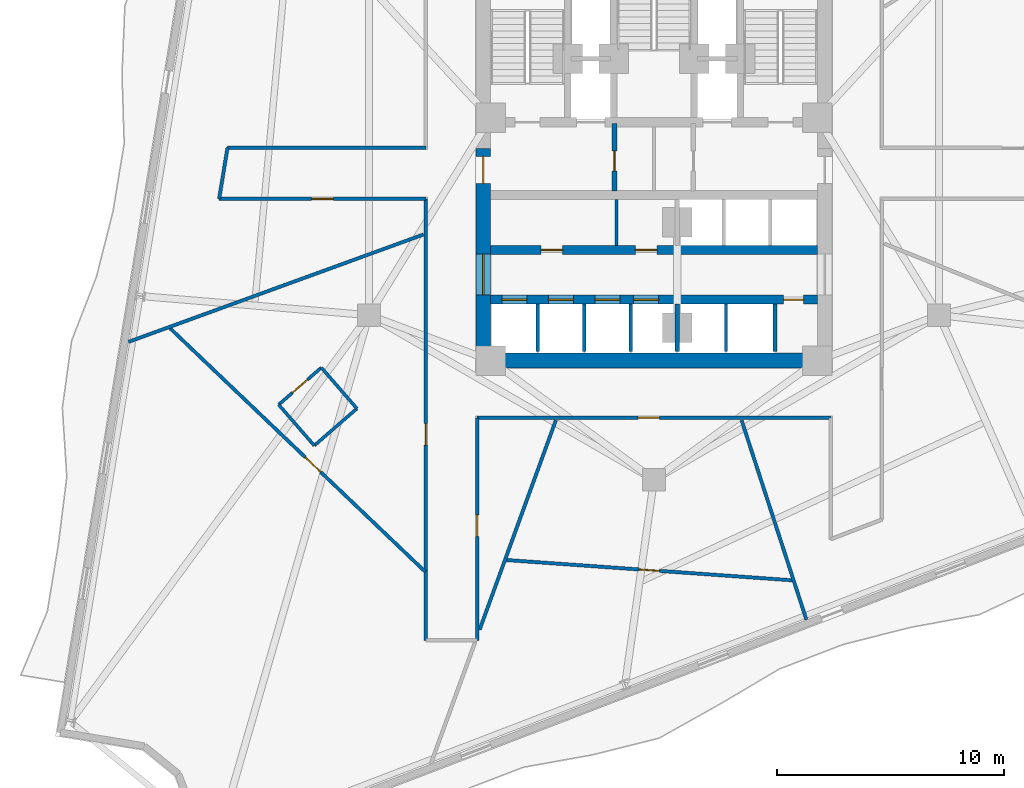
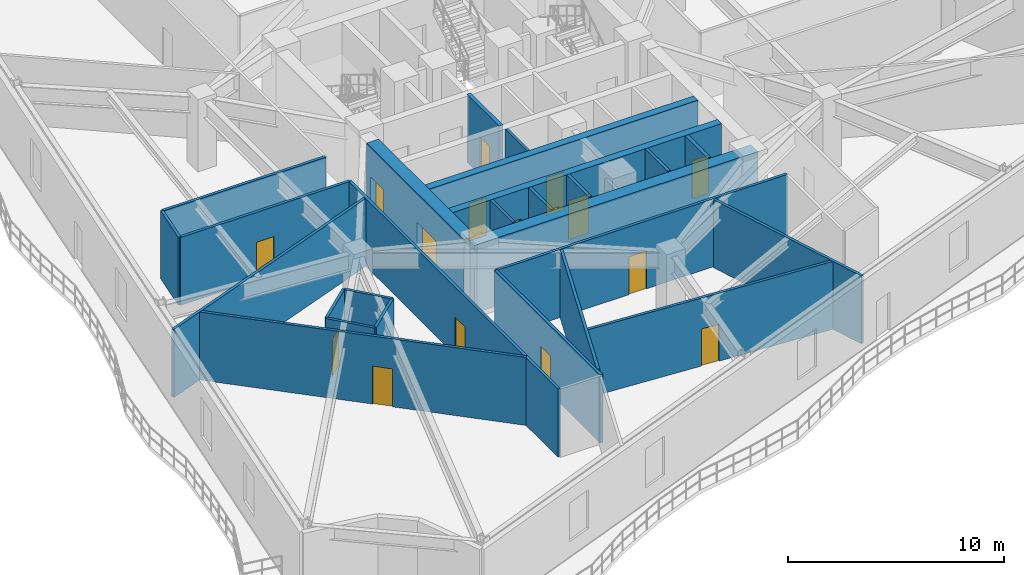
# One storey, part 4 of 11: 27 walls, 17 doors, 17 openings.
"""IFC4 building model written with IfcOpenShell, lengths in metres."""

from ifc_helpers import new_model, si_unit, direction, frame, frame_2d, origin, place, context, subcontext, project, spatial, rectangle, extrude, material, layer, layer_set, type_object, element, fill, save


model = new_model("IFC4")

# Units and contexts
model_context = context("Model", 3, precision=1e-05, world=origin(), true_north=direction((0.0, 1.0)))
body_context = subcontext(model_context, "Body", "Model", "MODEL_VIEW")
ifc_project = project(units=[si_unit("LENGTHUNIT", "METRE"), si_unit("AREAUNIT", "SQUARE_METRE"), si_unit("VOLUMEUNIT", "CUBIC_METRE"), si_unit("PLANEANGLEUNIT", "RADIAN"), si_unit("MASSUNIT", "GRAM", prefix="KILO")], contexts=[model_context])

# Site, building, storey
site_placement = place(None, origin())
site = spatial("IfcSite", under=ifc_project, at=site_placement, CompositionType="ELEMENT")
building_placement = place(site_placement, origin())
building = spatial("IfcBuilding", under=site, at=building_placement, Name="Apsidion Concourse Tower", CompositionType="ELEMENT")
storey_placement = place(building_placement, frame((0.0, 0.0, 132.199951171875)))
storey = spatial("IfcBuildingStorey", under=building, at=storey_placement, Name="L30", CompositionType="ELEMENT", Elevation=132.199951171875)

# Wall, opening, door
ifc_material_1 = material(Name="Gypsum plasterboard partition")
ifc_layer_1 = layer(ifc_material_1, 0.139892578125)
ifc_layer_set_1 = layer_set([ifc_layer_1], Name="Gypsum plasterboard partition")
wall_type_1 = type_object("IfcWallType", Name="WL-INT-PAR-140", PredefinedType="PARTITIONING", material=ifc_layer_set_1)
wall_1_placement = place(storey_placement, frame((-14.6591796875, -9.562744140625, 0.0), z_axis=(0.0, 0.0, 1.0), x_axis=(-0.754746925191, -0.65601606605, 0.0)))
wall_1 = element("IfcWall", 1, at=wall_1_placement, inside=storey, type_object=wall_type_1, Name="L30 Interior Partition WL-L30-POD-OFAWC-S1", PredefinedType="PARTITIONING", context=body_context, shape_type="SweptSolid", body=[
    extrude(rectangle(XDim=2.489990234375, YDim=0.139892578125, at=frame_2d((1.2451171875, 0.0))), origin(), (0.0, 0.0, 1.0), 3.85009765625),
])
opening_1_placement = place(wall_1_placement, frame((0.804931640625, 0.0, 0.0)))
opening_1 = element("IfcOpeningElement", 2, at=opening_1_placement, cuts=wall_1, Name="Opening D-03R", PredefinedType="OPENING", context=body_context, shape_type="SweptSolid", body=[
    extrude(rectangle(XDim=0.8798828125, YDim=2.10009765625, at=frame_2d((0.43994140625, 1.050048828125))), frame((0.0, 0.080078125, 0.0), z_axis=(0.0, -1.0, 0.0), x_axis=(1.0, 0.0, 0.0)), (0.0, 0.0, 1.0), 0.159912109375),
])
ifc_material_2 = material(Name="Anodised aluminium EN AW-6063 T6", Category="aluminium")
door_type_1 = type_object("IfcDoorType", Name="DR-INT-D03R", OperationType="SINGLE_SWING_RIGHT", PredefinedType="DOOR", material=ifc_material_2)
door_1_placement = place(opening_1_placement, origin())
door_1 = element("IfcDoor", 3, at=door_1_placement, inside=storey, type_object=door_type_1, Name="L30 Office Accessible WC Door OFAWC", OperationType="SINGLE_SWING_RIGHT", OverallHeight=2.10009765625, OverallWidth=0.8798828125, PredefinedType="DOOR", context=body_context, shape_type="SweptSolid", body=[
    extrude(rectangle(XDim=0.8798828125, YDim=2.10009765625, at=frame_2d((0.43994140625, 1.050048828125))), frame((0.0, 0.02490234375, 0.0), z_axis=(0.0, -1.0, 0.0), x_axis=(1.0, 0.0, 0.0)), (0.0, 0.0, 1.0), 0.050048828125),
])
fill(opening_1, door_1)

# Walls
wall_2_placement = place(storey_placement, frame((-16.53857421875, -11.1962890625, 0.0), z_axis=(0.0, 0.0, 1.0), x_axis=(0.656100313175, -0.754673690446, 0.0)))
element("IfcWall", 4, at=wall_2_placement, inside=storey, type_object=wall_type_1, Name="L30 Interior Partition WL-L30-POD-OFAWC-S2", PredefinedType="PARTITIONING", context=body_context, shape_type="SweptSolid", body=[
    extrude(rectangle(XDim=2.39013671875, YDim=0.139892578125, at=frame_2d((1.195068359375, 0.0))), origin(), (0.0, 0.0, 1.0), 3.85009765625),
])
wall_3_placement = place(storey_placement, frame((-14.970458984375, -13.0, 0.0), z_axis=(0.0, 0.0, 1.0), x_axis=(0.754704726342, 0.6560646127, 0.0)))
element("IfcWall", 5, at=wall_3_placement, inside=storey, type_object=wall_type_1, Name="L30 Interior Partition WL-L30-POD-OFAWC-S3", PredefinedType="PARTITIONING", context=body_context, shape_type="SweptSolid", body=[
    extrude(rectangle(XDim=2.489990234375, YDim=0.139892578125, at=frame_2d((1.2451171875, 0.0))), origin(), (0.0, 0.0, 1.0), 3.85009765625),
])
wall_4_placement = place(storey_placement, frame((-13.09130859375, -11.366455078125, 0.0), z_axis=(0.0, 0.0, 1.0), x_axis=(-0.656042130404, 0.754724269608, 0.0)))
element("IfcWall", 6, at=wall_4_placement, inside=storey, type_object=wall_type_1, Name="L30 Interior Partition WL-L30-POD-OFAWC-S4", PredefinedType="PARTITIONING", context=body_context, shape_type="SweptSolid", body=[
    extrude(rectangle(XDim=2.389892578125, YDim=0.139892578125, at=frame_2d((1.19482421875, 0.0))), origin(), (0.0, 0.0, 1.0), 3.85009765625),
])
ifc_layer_2 = layer(ifc_material_1, 0.14990234375)
ifc_layer_set_2 = layer_set([ifc_layer_2], Name="Gypsum plasterboard partition")
wall_type_2 = type_object("IfcWallType", Name="WL-INT-PAR-150", PredefinedType="PARTITIONING", material=ifc_layer_set_2)
wall_5_placement = place(storey_placement, frame((-1.64990234375, -4.179931640625, 0.0), z_axis=(0.0, 0.0, 1.0), x_axis=(0.0, 1.0, 0.0)))
element("IfcWall", 7, at=wall_5_placement, inside=storey, type_object=wall_type_2, Name="L30 Interior Partition WL-L30-B1RV1", PredefinedType="PARTITIONING", context=body_context, shape_type="SweptSolid", body=[
    extrude(rectangle(XDim=2.030029296875, YDim=0.14990234375, at=frame_2d((1.01513671875, 0.0))), origin(), (0.0, 0.0, 1.0), 3.85009765625),
])
for number, where, z_axis, x_axis, name in (
    (8, (-5.125, -8.85009765625, 0.0), (0.0, 0.0, 1.0), (0.0, 1.0, 0.0), "L30 Interior Partition WL-L30-B2DIV-1"),
    (9, (-3.074951171875, -8.85009765625, 0.0), (0.0, 0.0, 1.0), (0.0, 1.0, 0.0), "L30 Interior Partition WL-L30-B2DIV-2"),
    (10, (-1.02490234375, -8.85009765625, 0.0), (0.0, 0.0, 1.0), (0.0, 1.0, 0.0), "L30 Interior Partition WL-L30-B2DIV-3"),
    (11, (3.175048828125, -8.85009765625, 0.0), (0.0, 0.0, 1.0), (0.0, 1.0, 0.0), "L30 Interior Partition WL-L30-SHDIV-1"),
):
    element("IfcWall", number, at=place(storey_placement, frame(where, z_axis=z_axis, x_axis=x_axis)), inside=storey, type_object=wall_type_2, Name=name, PredefinedType="PARTITIONING", context=body_context, shape_type="SweptSolid", body=[
        extrude(rectangle(XDim=2.080078125, YDim=0.14990234375, at=frame_2d((1.0400390625, 0.0))), origin(), (0.0, 0.0, 1.0), 3.85009765625),
    ])

# Wall, opening, door
wall_6_placement = place(storey_placement, frame((7.7900390625, -11.77490234375, 0.0), z_axis=(0.0, 0.0, 1.0), x_axis=(-1.0, 0.0, 0.0)))
wall_6 = element("IfcWall", 12, at=wall_6_placement, inside=storey, type_object=wall_type_2, Name="L30 Interior Partition WL-L30-CORR-03", PredefinedType="PARTITIONING", context=body_context, shape_type="SweptSolid", body=[
    extrude(rectangle(XDim=15.580078125, YDim=0.14990234375, at=frame_2d((7.7900390625, 0.0))), origin(), (0.0, 0.0, 1.0), 3.85009765625),
])
opening_2_placement = place(wall_6_placement, frame((7.547119140625, 0.0, 0.0)))
opening_2 = element("IfcOpeningElement", 13, at=opening_2_placement, cuts=wall_6, Name="Opening D-01L", PredefinedType="OPENING", context=body_context, shape_type="SweptSolid", body=[
    extrude(rectangle(XDim=0.949951171875, YDim=2.14990234375, at=frame_2d((0.47509765625, 1.074951171875))), frame((0.0, 0.0849609375, 0.0), z_axis=(0.0, -1.0, 0.0), x_axis=(1.0, 0.0, 0.0)), (0.0, 0.0, 1.0), 0.169921875),
])
ifc_material_3 = material(Name="Brushed stainless steel 316", Category="steel")
door_type_2 = type_object("IfcDoorType", Name="DR-INT-D01L", OperationType="SINGLE_SWING_LEFT", PredefinedType="DOOR", material=ifc_material_3)
door_2_placement = place(opening_2_placement, origin())
door_2 = element("IfcDoor", 14, at=door_2_placement, inside=storey, type_object=door_type_2, Name="L30 Corridor Entry Door 03", OperationType="SINGLE_SWING_LEFT", OverallHeight=2.14990234375, OverallWidth=0.949951171875, PredefinedType="DOOR", context=body_context, shape_type="SweptSolid", body=[
    extrude(rectangle(XDim=0.949951171875, YDim=2.14990234375, at=frame_2d((0.47509765625, 1.074951171875))), frame((0.0, 0.02490234375, 0.0), z_axis=(0.0, -1.0, 0.0), x_axis=(1.0, 0.0, 0.0)), (0.0, 0.0, 1.0), 0.050048828125),
])
fill(opening_2, door_2)

wall_7_placement = place(storey_placement, frame((-7.7900390625, -11.77490234375, 0.0), z_axis=(0.0, 0.0, 1.0), x_axis=(0.0, -1.0, 0.0)))
wall_7 = element("IfcWall", 15, at=wall_7_placement, inside=storey, type_object=wall_type_2, Name="L30 Interior Partition WL-L30-CORR-04", PredefinedType="PARTITIONING", context=body_context, shape_type="SweptSolid", body=[
    extrude(rectangle(XDim=9.80517578125, YDim=0.14990234375, at=frame_2d((4.902587890625, 0.0))), origin(), (0.0, 0.0, 1.0), 3.85009765625),
])
opening_3_placement = place(wall_7_placement, frame((4.2744140625, 0.0, 0.0)))
opening_3 = element("IfcOpeningElement", 16, at=opening_3_placement, cuts=wall_7, Name="Opening D-01R", PredefinedType="OPENING", context=body_context, shape_type="SweptSolid", body=[
    extrude(rectangle(XDim=0.949951171875, YDim=2.14990234375, at=frame_2d((0.47509765625, 1.074951171875))), frame((0.0, 0.0849609375, 0.0), z_axis=(0.0, -1.0, 0.0), x_axis=(1.0, 0.0, 0.0)), (0.0, 0.0, 1.0), 0.169921875),
])
door_type_3 = type_object("IfcDoorType", Name="DR-INT-D01R", OperationType="SINGLE_SWING_RIGHT", PredefinedType="DOOR", material=ifc_material_3)
door_3_placement = place(opening_3_placement, origin())
door_3 = element("IfcDoor", 17, at=door_3_placement, inside=storey, type_object=door_type_3, Name="L30 Corridor Entry Door 02", OperationType="SINGLE_SWING_RIGHT", OverallHeight=2.14990234375, OverallWidth=0.949951171875, PredefinedType="DOOR", context=body_context, shape_type="SweptSolid", body=[
    extrude(rectangle(XDim=0.949951171875, YDim=2.14990234375, at=frame_2d((0.47509765625, 1.074951171875))), frame((0.0, 0.02490234375, 0.0), z_axis=(0.0, -1.0, 0.0), x_axis=(1.0, 0.0, 0.0)), (0.0, 0.0, 1.0), 0.050048828125),
])
fill(opening_3, door_3)

wall_8_placement = place(storey_placement, frame((-10.050048828125, -21.580078125, 0.0), z_axis=(0.0, 0.0, 1.0), x_axis=(0.0, 1.0, 0.0)))
wall_8 = element("IfcWall", 18, at=wall_8_placement, inside=storey, type_object=wall_type_2, Name="L30 Interior Partition WL-L30-CORR-06", PredefinedType="PARTITIONING", context=body_context, shape_type="SweptSolid", body=[
    extrude(rectangle(XDim=19.4501953125, YDim=0.14990234375, at=frame_2d((9.72509765625, 0.0))), origin(), (0.0, 0.0, 1.0), 3.85009765625),
])
opening_4_placement = place(wall_8_placement, frame((8.596435546875, 0.0, 0.0)))
opening_4 = element("IfcOpeningElement", 19, at=opening_4_placement, cuts=wall_8, Name="Opening D-01L", PredefinedType="OPENING", context=body_context, shape_type="SweptSolid", body=[
    extrude(rectangle(XDim=0.949951171875, YDim=2.14990234375, at=frame_2d((0.47509765625, 1.074951171875))), frame((0.0, 0.0849609375, 0.0), z_axis=(0.0, -1.0, 0.0), x_axis=(1.0, 0.0, 0.0)), (0.0, 0.0, 1.0), 0.169921875),
])
door_4_placement = place(opening_4_placement, origin())
door_4 = element("IfcDoor", 20, at=door_4_placement, inside=storey, type_object=door_type_2, Name="L30 Corridor Entry Door 01", OperationType="SINGLE_SWING_LEFT", OverallHeight=2.14990234375, OverallWidth=0.949951171875, PredefinedType="DOOR", context=body_context, shape_type="SweptSolid", body=[
    extrude(rectangle(XDim=0.949951171875, YDim=2.14990234375, at=frame_2d((0.47509765625, 1.074951171875))), frame((0.0, 0.02490234375, 0.0), z_axis=(0.0, -1.0, 0.0), x_axis=(1.0, 0.0, 0.0)), (0.0, 0.0, 1.0), 0.050048828125),
])
fill(opening_4, door_4)

wall_9_placement = place(storey_placement, frame((-10.050048828125, -2.1298828125, 0.0), z_axis=(0.0, 0.0, 1.0), x_axis=(-1.0, 0.0, 0.0)))
wall_9 = element("IfcWall", 21, at=wall_9_placement, inside=storey, type_object=wall_type_2, Name="L30 Interior Partition WL-L30-CORR-07", PredefinedType="PARTITIONING", context=body_context, shape_type="SweptSolid", body=[
    extrude(rectangle(XDim=9.1142578125, YDim=0.14990234375, at=frame_2d((4.55712890625, 0.0))), origin(), (0.0, 0.0, 1.0), 3.85009765625),
])
opening_5_placement = place(wall_9_placement, frame((4.082275390625, 0.0, 0.0)))
opening_5 = element("IfcOpeningElement", 22, at=opening_5_placement, cuts=wall_9, Name="Opening D-01R", PredefinedType="OPENING", context=body_context, shape_type="SweptSolid", body=[
    extrude(rectangle(XDim=0.949951171875, YDim=2.14990234375, at=frame_2d((0.47509765625, 1.074951171875))), frame((0.0, 0.0849609375, 0.0), z_axis=(0.0, -1.0, 0.0), x_axis=(1.0, 0.0, 0.0)), (0.0, 0.0, 1.0), 0.169921875),
])
door_5_placement = place(opening_5_placement, origin())
door_5 = element("IfcDoor", 23, at=door_5_placement, inside=storey, type_object=door_type_3, Name="L30 Corridor Entry Door 08", OperationType="SINGLE_SWING_RIGHT", OverallHeight=2.14990234375, OverallWidth=0.949951171875, PredefinedType="DOOR", context=body_context, shape_type="SweptSolid", body=[
    extrude(rectangle(XDim=0.949951171875, YDim=2.14990234375, at=frame_2d((0.47509765625, 1.074951171875))), frame((0.0, 0.02490234375, 0.0), z_axis=(0.0, -1.0, 0.0), x_axis=(1.0, 0.0, 0.0)), (0.0, 0.0, 1.0), 0.050048828125),
])
fill(opening_5, door_5)

# Walls
wall_10_placement = place(storey_placement, frame((-19.164306640625, -2.1298828125, 0.0), z_axis=(0.0, 0.0, 1.0), x_axis=(0.161943522339, 0.986800028158, 0.0)))
element("IfcWall", 24, at=wall_10_placement, inside=storey, type_object=wall_type_2, Name="L30 Interior Partition WL-L30-CORR-08", PredefinedType="PARTITIONING", context=body_context, shape_type="SweptSolid", body=[
    extrude(rectangle(XDim=2.2900390625, YDim=0.14990234375, at=frame_2d((1.14501953125, 0.0))), origin(), (0.0, 0.0, 1.0), 3.85009765625),
])
wall_11_placement = place(storey_placement, frame((-18.79345703125, 0.1298828125, 0.0), z_axis=(0.0, 0.0, 1.0), x_axis=(1.0, 0.0, 0.0)))
element("IfcWall", 25, at=wall_11_placement, inside=storey, type_object=wall_type_2, Name="L30 Interior Partition WL-L30-CORR-09", PredefinedType="PARTITIONING", context=body_context, shape_type="SweptSolid", body=[
    extrude(rectangle(XDim=8.743408203125, YDim=0.14990234375, at=frame_2d((4.37158203125, 0.0))), origin(), (0.0, 0.0, 1.0), 3.85009765625),
])
wall_12_placement = place(storey_placement, frame((-10.155029296875, -3.696044921875, 0.0), z_axis=(0.0, 0.0, 1.0), x_axis=(-0.939688802852, -0.342030632831, 0.0)))
element("IfcWall", 26, at=wall_12_placement, inside=storey, type_object=wall_type_2, Name="L30 Interior Partition WL-L30-RAD-04-1", PredefinedType="PARTITIONING", context=body_context, shape_type="SweptSolid", body=[
    extrude(rectangle(XDim=13.8369140625, YDim=0.14990234375, at=frame_2d((6.91845703125, 0.0))), origin(), (0.0, 0.0, 1.0), 3.85009765625),
])
wall_13_placement = place(storey_placement, frame((-4.323974609375, -11.8798828125, 0.0), z_axis=(0.0, 0.0, 1.0), x_axis=(-0.34201632383, -0.93969401096, 0.0)))
element("IfcWall", 27, at=wall_13_placement, inside=storey, type_object=wall_type_2, Name="L30 Interior Partition WL-L30-RAD-05-1", PredefinedType="PARTITIONING", context=body_context, shape_type="SweptSolid", body=[
    extrude(rectangle(XDim=9.8271484375, YDim=0.14990234375, at=frame_2d((4.91357421875, 0.0))), origin(), (0.0, 0.0, 1.0), 3.85009765625),
])
wall_14_placement = place(storey_placement, frame((3.860107421875, -11.8798828125, 0.0), z_axis=(0.0, 0.0, 1.0), x_axis=(0.309013181292, -0.951057755232, 0.0)))
element("IfcWall", 28, at=wall_14_placement, inside=storey, type_object=wall_type_2, Name="L30 Interior Partition WL-L30-RAD-06-1", PredefinedType="PARTITIONING", context=body_context, shape_type="SweptSolid", body=[
    extrude(rectangle(XDim=9.23974609375, YDim=0.14990234375, at=frame_2d((4.619873046875, 0.0))), origin(), (0.0, 0.0, 1.0), 3.85009765625),
])

# Wall, opening, door
wall_15_placement = place(storey_placement, frame((-21.354736328125, -7.799072265625, 0.0), z_axis=(0.0, 0.0, 1.0), x_axis=(0.723441528471, -0.690385656632, 0.0)))
wall_15 = element("IfcWall", 29, at=wall_15_placement, inside=storey, type_object=wall_type_2, Name="L30 Interior Partition WL-L30-CHD-OFWC", PredefinedType="PARTITIONING", context=body_context, shape_type="SweptSolid", body=[
    extrude(rectangle(XDim=15.5986328125, YDim=0.14990234375, at=frame_2d((7.79931640625, 0.0))), origin(), (0.0, 0.0, 1.0), 3.85009765625),
])
opening_6_placement = place(wall_15_placement, frame((8.2744140625, 0.0, 0.0)))
opening_6 = element("IfcOpeningElement", 30, at=opening_6_placement, cuts=wall_15, Name="Opening D-04L", PredefinedType="OPENING", context=body_context, shape_type="SweptSolid", body=[
    extrude(rectangle(XDim=0.949951171875, YDim=2.14990234375, at=frame_2d((0.47509765625, 1.074951171875))), frame((0.0, 0.0849609375, 0.0), z_axis=(0.0, -1.0, 0.0), x_axis=(1.0, 0.0, 0.0)), (0.0, 0.0, 1.0), 0.169921875),
])
door_type_4 = type_object("IfcDoorType", Name="DR-INT-D04L", OperationType="SINGLE_SWING_LEFT", PredefinedType="DOOR", material=ifc_material_3)
door_6_placement = place(opening_6_placement, origin())
door_6 = element("IfcDoor", 31, at=door_6_placement, inside=storey, type_object=door_type_4, Name="L30 Suite Connecting Door OFWC", OperationType="SINGLE_SWING_LEFT", OverallHeight=2.14990234375, OverallWidth=0.949951171875, PredefinedType="DOOR", context=body_context, shape_type="SweptSolid", body=[
    extrude(rectangle(XDim=0.949951171875, YDim=2.14990234375, at=frame_2d((0.47509765625, 1.074951171875))), frame((0.0, 0.02490234375, 0.0), z_axis=(0.0, -1.0, 0.0), x_axis=(1.0, 0.0, 0.0)), (0.0, 0.0, 1.0), 0.050048828125),
])
fill(opening_6, door_6)

wall_16_placement = place(storey_placement, frame((-6.539306640625, -18.039306640625, 0.0), z_axis=(0.0, 0.0, 1.0), x_axis=(0.997491192059, -0.070790689818, 0.0)))
wall_16 = element("IfcWall", 32, at=wall_16_placement, inside=storey, type_object=wall_type_2, Name="L30 Interior Partition WL-L30-CHD-OFS02", PredefinedType="PARTITIONING", context=body_context, shape_type="SweptSolid", body=[
    extrude(rectangle(XDim=12.6982421875, YDim=0.14990234375, at=frame_2d((6.34912109375, 0.0))), origin(), (0.0, 0.0, 1.0), 3.85009765625),
])
opening_7_placement = place(wall_16_placement, frame((5.899169921875, 0.0, 0.0)))
opening_7 = element("IfcOpeningElement", 33, at=opening_7_placement, cuts=wall_16, Name="Opening D-02L", PredefinedType="OPENING", context=body_context, shape_type="SweptSolid", body=[
    extrude(rectangle(XDim=0.89990234375, YDim=2.10009765625, at=frame_2d((0.449951171875, 1.050048828125))), frame((0.0, 0.0849609375, 0.0), z_axis=(0.0, -1.0, 0.0), x_axis=(1.0, 0.0, 0.0)), (0.0, 0.0, 1.0), 0.169921875),
])
door_type_5 = type_object("IfcDoorType", Name="DR-INT-D02L", OperationType="SINGLE_SWING_LEFT", PredefinedType="DOOR", material=ifc_material_2)
door_7_placement = place(opening_7_placement, origin())
door_7 = element("IfcDoor", 34, at=door_7_placement, inside=storey, type_object=door_type_5, Name="L30 Suite Connecting Door OFS02", OperationType="SINGLE_SWING_LEFT", OverallHeight=2.10009765625, OverallWidth=0.89990234375, PredefinedType="DOOR", context=body_context, shape_type="SweptSolid", body=[
    extrude(rectangle(XDim=0.89990234375, YDim=2.10009765625, at=frame_2d((0.449951171875, 1.050048828125))), frame((0.0, 0.02490234375, 0.0), z_axis=(0.0, -1.0, 0.0), x_axis=(1.0, 0.0, 0.0)), (0.0, 0.0, 1.0), 0.050048828125),
])
fill(opening_7, door_7)

# Walls
ifc_layer_3 = layer(ifc_material_1, 0.179931640625)
ifc_layer_set_3 = layer_set([ifc_layer_3], Name="Gypsum plasterboard partition")
wall_type_3 = type_object("IfcWallType", Name="WL-INT-PAR-180", PredefinedType="PARTITIONING", material=ifc_layer_set_3)
wall_17_placement = place(storey_placement, frame((1.02490234375, -8.85009765625, 0.0), z_axis=(0.0, 0.0, 1.0), x_axis=(0.0, 1.0, 0.0)))
element("IfcWall", 35, at=wall_17_placement, inside=storey, type_object=wall_type_3, Name="L30 Interior Partition WL-L30-B2END", PredefinedType="PARTITIONING", context=body_context, shape_type="SweptSolid", body=[
    extrude(rectangle(XDim=2.080078125, YDim=0.179931640625, at=frame_2d((1.0400390625, 0.0))), origin(), (0.0, 0.0, 1.0), 2.89794921875),
])
wall_18_placement = place(storey_placement, frame((5.324951171875, -8.85009765625, 0.0), z_axis=(0.0, 0.0, 1.0), x_axis=(0.0, 1.0, 0.0)))
element("IfcWall", 36, at=wall_18_placement, inside=storey, type_object=wall_type_3, Name="L30 Interior Partition WL-L30-SHDIV-2", PredefinedType="PARTITIONING", context=body_context, shape_type="SweptSolid", body=[
    extrude(rectangle(XDim=2.080078125, YDim=0.179931640625, at=frame_2d((1.0400390625, 0.0))), origin(), (0.0, 0.0, 1.0), 3.85009765625),
])

# Wall, opening, door
ifc_layer_4 = layer(ifc_material_1, 0.199951171875)
ifc_layer_set_4 = layer_set([ifc_layer_4], Name="Gypsum plasterboard partition")
wall_type_4 = type_object("IfcWallType", Name="WL-INT-PAR-200", PredefinedType="PARTITIONING", material=ifc_layer_set_4)
wall_19_placement = place(storey_placement, frame((-1.739990234375, -1.780029296875, 0.0), z_axis=(0.0, 0.0, 1.0), x_axis=(0.0, 1.0, 0.0)))
wall_19 = element("IfcWall", 37, at=wall_19_placement, inside=storey, type_object=wall_type_4, Name="L30 Interior Partition WL-L30-FF1-E", PredefinedType="PARTITIONING", context=body_context, shape_type="SweptSolid", body=[
    extrude(rectangle(XDim=2.97998046875, YDim=0.199951171875, at=frame_2d((1.489990234375, 0.0))), origin(), (0.0, 0.0, 1.0), 3.85009765625),
])
opening_8_placement = place(wall_19_placement, frame((0.889892578125, 0.0, 0.0)))
opening_8 = element("IfcOpeningElement", 38, at=opening_8_placement, cuts=wall_19, Name="Opening D-05R", PredefinedType="OPENING", context=body_context, shape_type="SweptSolid", body=[
    extrude(rectangle(XDim=0.8798828125, YDim=2.14990234375, at=frame_2d((0.43994140625, 1.074951171875))), frame((0.0, 0.10986328125, 0.0), z_axis=(0.0, -1.0, 0.0), x_axis=(1.0, 0.0, 0.0)), (0.0, 0.0, 1.0), 0.219970703125),
])
door_type_6 = type_object("IfcDoorType", Name="DR-INT-D05R", OperationType="SINGLE_SWING_RIGHT", PredefinedType="DOOR", material=ifc_material_3)
door_8_placement = place(opening_8_placement, origin())
door_8 = element("IfcDoor", 39, at=door_8_placement, inside=storey, type_object=door_type_6, Name="L30 Core Pantry Door", OperationType="SINGLE_SWING_RIGHT", OverallHeight=2.14990234375, OverallWidth=0.8798828125, PredefinedType="DOOR", context=body_context, shape_type="SweptSolid", body=[
    extrude(rectangle(XDim=0.8798828125, YDim=2.14990234375, at=frame_2d((0.43994140625, 1.074951171875))), frame((0.0, 0.02490234375, 0.0), z_axis=(0.0, -1.0, 0.0), x_axis=(1.0, 0.0, 0.0)), (0.0, 0.0, 1.0), 0.050048828125),
])
fill(opening_8, door_8)

# Wall, openings, doors
ifc_material_4 = material(Name="Concrete C50/60", Category="concrete")
ifc_layer_5 = layer(ifc_material_4, 0.39990234375)
ifc_layer_set_5 = layer_set([ifc_layer_5], Name="Concrete C50/60")
wall_type_5 = type_object("IfcWallType", Name="WL-SH-400", PredefinedType="SHEAR", material=ifc_layer_set_5)
wall_20_placement = place(storey_placement, frame((-7.199951171875, -4.3798828125, 0.0), z_axis=(0.0, 0.0, 1.0), x_axis=(1.0, 0.0, 0.0)))
wall_20 = element("IfcWall", 40, at=wall_20_placement, inside=storey, type_object=wall_type_5, Name="L30 Central Core Shear Wall LA", PredefinedType="SHEAR", context=body_context, shape_type="SweptSolid", body=[
    extrude(rectangle(XDim=14.39990234375, YDim=0.39990234375, at=frame_2d((7.199951171875, 0.0))), origin(), (0.0, 0.0, 1.0), 3.85009765625),
])
opening_9_placement = place(wall_20_placement, frame((2.22509765625, 0.0, 0.0)))
opening_9 = element("IfcOpeningElement", 41, at=opening_9_placement, cuts=wall_20, Name="Opening D-04L", PredefinedType="OPENING", context=body_context, shape_type="SweptSolid", body=[
    extrude(rectangle(XDim=0.949951171875, YDim=2.14990234375, at=frame_2d((0.47509765625, 1.074951171875))), frame((0.0, 0.2099609375, 0.0), z_axis=(0.0, -1.0, 0.0), x_axis=(1.0, 0.0, 0.0)), (0.0, 0.0, 1.0), 0.419921875),
])
opening_10_placement = place(wall_20_placement, frame((6.375, 0.0, 0.0)))
opening_10 = element("IfcOpeningElement", 42, at=opening_10_placement, cuts=wall_20, Name="Opening D-04R", PredefinedType="OPENING", context=body_context, shape_type="SweptSolid", body=[
    extrude(rectangle(XDim=0.949951171875, YDim=2.14990234375, at=frame_2d((0.47509765625, 1.074951171875))), frame((0.0, 0.2099609375, 0.0), z_axis=(0.0, -1.0, 0.0), x_axis=(1.0, 0.0, 0.0)), (0.0, 0.0, 1.0), 0.419921875),
])
door_9_placement = place(opening_9_placement, origin())
door_9 = element("IfcDoor", 43, at=door_9_placement, inside=storey, type_object=door_type_4, Name="L30 Tenant Records Archive Room Door", OperationType="SINGLE_SWING_LEFT", OverallHeight=2.14990234375, OverallWidth=0.949951171875, PredefinedType="DOOR", context=body_context, shape_type="SweptSolid", body=[
    extrude(rectangle(XDim=0.949951171875, YDim=2.14990234375, at=frame_2d((0.47509765625, 1.074951171875))), frame((0.0, 0.02490234375, 0.0), z_axis=(0.0, -1.0, 0.0), x_axis=(1.0, 0.0, 0.0)), (0.0, 0.0, 1.0), 0.050048828125),
])
fill(opening_9, door_9)
door_type_7 = type_object("IfcDoorType", Name="DR-INT-D04R", OperationType="SINGLE_SWING_RIGHT", PredefinedType="DOOR", material=ifc_material_3)
door_10_placement = place(opening_10_placement, origin())
door_10 = element("IfcDoor", 44, at=door_10_placement, inside=storey, type_object=door_type_7, Name="L30 Core Beverage Pantry Door", OperationType="SINGLE_SWING_RIGHT", OverallHeight=2.14990234375, OverallWidth=0.949951171875, PredefinedType="DOOR", context=body_context, shape_type="SweptSolid", body=[
    extrude(rectangle(XDim=0.949951171875, YDim=2.14990234375, at=frame_2d((0.47509765625, 1.074951171875))), frame((0.0, 0.02490234375, 0.0), z_axis=(0.0, -1.0, 0.0), x_axis=(1.0, 0.0, 0.0)), (0.0, 0.0, 1.0), 0.050048828125),
])
fill(opening_10, door_10)

wall_21_placement = place(storey_placement, frame((-7.199951171875, -6.570068359375, 0.0), z_axis=(0.0, 0.0, 1.0), x_axis=(1.0, 0.0, 0.0)))
wall_21 = element("IfcWall", 45, at=wall_21_placement, inside=storey, type_object=wall_type_5, Name="L30 Central Core Shear Wall LB", PredefinedType="SHEAR", context=body_context, shape_type="SweptSolid", body=[
    extrude(rectangle(XDim=14.39990234375, YDim=0.39990234375, at=frame_2d((7.199951171875, 0.0))), origin(), (0.0, 0.0, 1.0), 3.85009765625),
])
opening_11_placement = place(wall_21_placement, frame((0.5, 0.0, 0.0)))
opening_11 = element("IfcOpeningElement", 46, at=opening_11_placement, cuts=wall_21, Name="Opening LD-P1", PredefinedType="OPENING", context=body_context, shape_type="SweptSolid", body=[
    extrude(rectangle(XDim=1.10009765625, YDim=2.199951171875, at=frame_2d((0.550048828125, 1.10009765625))), frame((0.0, 0.2099609375, 0.0), z_axis=(0.0, -1.0, 0.0), x_axis=(1.0, 0.0, 0.0)), (0.0, 0.0, 1.0), 0.419921875),
])
opening_12_placement = place(wall_21_placement, frame((2.550048828125, 0.0, 0.0)))
opening_12 = element("IfcOpeningElement", 47, at=opening_12_placement, cuts=wall_21, Name="Opening LD-P1", PredefinedType="OPENING", context=body_context, shape_type="SweptSolid", body=[
    extrude(rectangle(XDim=1.10009765625, YDim=2.199951171875, at=frame_2d((0.550048828125, 1.10009765625))), frame((0.0, 0.2099609375, 0.0), z_axis=(0.0, -1.0, 0.0), x_axis=(1.0, 0.0, 0.0)), (0.0, 0.0, 1.0), 0.419921875),
])
opening_13_placement = place(wall_21_placement, frame((4.60009765625, 0.0, 0.0)))
opening_13 = element("IfcOpeningElement", 48, at=opening_13_placement, cuts=wall_21, Name="Opening LD-P1", PredefinedType="OPENING", context=body_context, shape_type="SweptSolid", body=[
    extrude(rectangle(XDim=1.10009765625, YDim=2.199951171875, at=frame_2d((0.550048828125, 1.10009765625))), frame((0.0, 0.2099609375, 0.0), z_axis=(0.0, -1.0, 0.0), x_axis=(1.0, 0.0, 0.0)), (0.0, 0.0, 1.0), 0.419921875),
])
opening_14_placement = place(wall_21_placement, frame((6.300048828125, 0.0, 0.0)))
opening_14 = element("IfcOpeningElement", 49, at=opening_14_placement, cuts=wall_21, Name="Opening LD-P1", PredefinedType="OPENING", context=body_context, shape_type="SweptSolid", body=[
    extrude(rectangle(XDim=1.10009765625, YDim=2.199951171875, at=frame_2d((0.550048828125, 1.10009765625))), frame((0.0, 0.2099609375, 0.0), z_axis=(0.0, -1.0, 0.0), x_axis=(1.0, 0.0, 0.0)), (0.0, 0.0, 1.0), 0.419921875),
])
opening_15_placement = place(wall_21_placement, frame((12.909912109375, 0.0, 0.0)))
opening_15 = element("IfcOpeningElement", 50, at=opening_15_placement, cuts=wall_21, Name="Opening D-05L", PredefinedType="OPENING", context=body_context, shape_type="SweptSolid", body=[
    extrude(rectangle(XDim=0.8798828125, YDim=2.14990234375, at=frame_2d((0.43994140625, 1.074951171875))), frame((0.0, 0.2099609375, 0.0), z_axis=(0.0, -1.0, 0.0), x_axis=(1.0, 0.0, 0.0)), (0.0, 0.0, 1.0), 0.419921875),
])
door_type_8 = type_object("IfcDoorType", Name="DR-INT-D05L", OperationType="SINGLE_SWING_LEFT", PredefinedType="DOOR", material=ifc_material_3)
door_11_placement = place(opening_15_placement, origin())
door_11 = element("IfcDoor", 51, at=door_11_placement, inside=storey, type_object=door_type_8, Name="L30 Cleaners Store Door", OperationType="SINGLE_SWING_LEFT", OverallHeight=2.14990234375, OverallWidth=0.8798828125, PredefinedType="DOOR", context=body_context, shape_type="SweptSolid", body=[
    extrude(rectangle(XDim=0.8798828125, YDim=2.14990234375, at=frame_2d((0.43994140625, 1.074951171875))), frame((0.0, 0.02490234375, 0.0), z_axis=(0.0, -1.0, 0.0), x_axis=(1.0, 0.0, 0.0)), (0.0, 0.0, 1.0), 0.050048828125),
])
fill(opening_15, door_11)
door_type_9 = type_object("IfcDoorType", Name="DR-LD-PASS", OperationType="DOUBLE_DOOR_SLIDING", PredefinedType="DOOR", material=ifc_material_3)
door_12_placement = place(opening_11_placement, origin())
door_12 = element("IfcDoor", 52, at=door_12_placement, inside=storey, type_object=door_type_9, Name="L30 Lift Landing Door P5", OperationType="DOUBLE_DOOR_SLIDING", OverallHeight=2.199951171875, OverallWidth=1.10009765625, PredefinedType="DOOR", context=body_context, shape_type="SweptSolid", body=[
    extrude(rectangle(XDim=1.10009765625, YDim=2.199951171875, at=frame_2d((0.550048828125, 1.10009765625))), frame((0.0, 0.02490234375, 0.0), z_axis=(0.0, -1.0, 0.0), x_axis=(1.0, 0.0, 0.0)), (0.0, 0.0, 1.0), 0.050048828125),
])
fill(opening_11, door_12)
door_13_placement = place(opening_12_placement, origin())
door_13 = element("IfcDoor", 53, at=door_13_placement, inside=storey, type_object=door_type_9, Name="L30 Lift Landing Door P6", OperationType="DOUBLE_DOOR_SLIDING", OverallHeight=2.199951171875, OverallWidth=1.10009765625, PredefinedType="DOOR", context=body_context, shape_type="SweptSolid", body=[
    extrude(rectangle(XDim=1.10009765625, YDim=2.199951171875, at=frame_2d((0.550048828125, 1.10009765625))), frame((0.0, 0.02490234375, 0.0), z_axis=(0.0, -1.0, 0.0), x_axis=(1.0, 0.0, 0.0)), (0.0, 0.0, 1.0), 0.050048828125),
])
fill(opening_12, door_13)
door_14_placement = place(opening_13_placement, origin())
door_14 = element("IfcDoor", 54, at=door_14_placement, inside=storey, type_object=door_type_9, Name="L30 Lift Landing Door P7", OperationType="DOUBLE_DOOR_SLIDING", OverallHeight=2.199951171875, OverallWidth=1.10009765625, PredefinedType="DOOR", context=body_context, shape_type="SweptSolid", body=[
    extrude(rectangle(XDim=1.10009765625, YDim=2.199951171875, at=frame_2d((0.550048828125, 1.10009765625))), frame((0.0, 0.02490234375, 0.0), z_axis=(0.0, -1.0, 0.0), x_axis=(1.0, 0.0, 0.0)), (0.0, 0.0, 1.0), 0.050048828125),
])
fill(opening_13, door_14)
door_15_placement = place(opening_14_placement, origin())
door_15 = element("IfcDoor", 55, at=door_15_placement, inside=storey, type_object=door_type_9, Name="L30 Lift Landing Door P8", OperationType="DOUBLE_DOOR_SLIDING", OverallHeight=2.199951171875, OverallWidth=1.10009765625, PredefinedType="DOOR", context=body_context, shape_type="SweptSolid", body=[
    extrude(rectangle(XDim=1.10009765625, YDim=2.199951171875, at=frame_2d((0.550048828125, 1.10009765625))), frame((0.0, 0.02490234375, 0.0), z_axis=(0.0, -1.0, 0.0), x_axis=(1.0, 0.0, 0.0)), (0.0, 0.0, 1.0), 0.050048828125),
])
fill(opening_14, door_15)

ifc_layer_6 = layer(ifc_material_4, 0.64990234375)
ifc_layer_set_6 = layer_set([ifc_layer_6], Name="Concrete C50/60")
wall_type_6 = type_object("IfcWallType", Name="WL-SH-650", PredefinedType="SHEAR", material=ifc_layer_set_6)
wall_22_placement = place(storey_placement, frame((-7.52490234375, -8.925048828125, 0.0), z_axis=(0.0, 0.0, 1.0), x_axis=(0.0, 1.0, 0.0)))
wall_22 = element("IfcWall", 56, at=wall_22_placement, inside=storey, type_object=wall_type_6, Name="L30 Central Core Shear Wall WS", PredefinedType="SHEAR", context=body_context, shape_type="SweptSolid", body=[
    extrude(rectangle(XDim=9.025146484375, YDim=0.64990234375, at=frame_2d((4.5126953125, 0.0))), origin(), (0.0, 0.0, 1.0), 3.85009765625),
])
opening_16_placement = place(wall_22_placement, frame((2.56494140625, 0.0, 0.0)))
opening_16 = element("IfcOpeningElement", 57, at=opening_16_placement, cuts=wall_22, Name="Opening D-06D", PredefinedType="OPENING", context=body_context, shape_type="SweptSolid", body=[
    extrude(rectangle(XDim=1.800048828125, YDim=2.199951171875, at=frame_2d((0.89990234375, 1.10009765625))), frame((0.0, 0.3349609375, 0.0), z_axis=(0.0, -1.0, 0.0), x_axis=(1.0, 0.0, 0.0)), (0.0, 0.0, 1.0), 0.669921875),
])
opening_17_placement = place(wall_22_placement, frame((7.47509765625, 0.0, 0.0)))
opening_17 = element("IfcOpeningElement", 58, at=opening_17_placement, cuts=wall_22, Name="Opening D-FFL", PredefinedType="OPENING", context=body_context, shape_type="SweptSolid", body=[
    extrude(rectangle(XDim=1.199951171875, YDim=2.14990234375, at=frame_2d((0.60009765625, 1.074951171875))), frame((0.0, 0.3349609375, 0.0), z_axis=(0.0, -1.0, 0.0), x_axis=(1.0, 0.0, 0.0)), (0.0, 0.0, 1.0), 0.669921875),
])
door_type_10 = type_object("IfcDoorType", Name="DR-INT-D06D", OperationType="DOUBLE_DOOR_SINGLE_SWING", PredefinedType="DOOR", material=ifc_material_3)
door_16_placement = place(opening_16_placement, origin())
door_16 = element("IfcDoor", 59, at=door_16_placement, inside=storey, type_object=door_type_10, Name="L30 Passenger Lift Lobby WS Portal Door", OperationType="DOUBLE_DOOR_SINGLE_SWING", OverallHeight=2.199951171875, OverallWidth=1.800048828125, PredefinedType="DOOR", context=body_context, shape_type="SweptSolid", body=[
    extrude(rectangle(XDim=1.800048828125, YDim=2.199951171875, at=frame_2d((0.89990234375, 1.10009765625))), frame((0.0, 0.02490234375, 0.0), z_axis=(0.0, -1.0, 0.0), x_axis=(1.0, 0.0, 0.0)), (0.0, 0.0, 1.0), 0.050048828125),
])
fill(opening_16, door_16)
door_type_11 = type_object("IfcDoorType", Name="DR-INT-FFL", OperationType="SINGLE_SWING_LEFT", PredefinedType="DOOR", material=ifc_material_3)
door_17_placement = place(opening_17_placement, origin())
door_17 = element("IfcDoor", 60, at=door_17_placement, inside=storey, type_object=door_type_11, Name="L30 Firefighting Lift Lobby FF1 Door", OperationType="SINGLE_SWING_LEFT", OverallHeight=2.14990234375, OverallWidth=1.199951171875, PredefinedType="DOOR", context=body_context, shape_type="SweptSolid", body=[
    extrude(rectangle(XDim=1.199951171875, YDim=2.14990234375, at=frame_2d((0.60009765625, 1.074951171875))), frame((0.0, 0.02490234375, 0.0), z_axis=(0.0, -1.0, 0.0), x_axis=(1.0, 0.0, 0.0)), (0.0, 0.0, 1.0), 0.050048828125),
])
fill(opening_17, door_17)

# Wall
wall_23_placement = place(storey_placement, frame((-7.52490234375, -9.25, 0.0), z_axis=(0.0, 0.0, 1.0), x_axis=(1.0, 0.0, 0.0)))
element("IfcWall", 61, at=wall_23_placement, inside=storey, type_object=wall_type_6, Name="L30 Central Core Shear Wall S", PredefinedType="SHEAR", context=body_context, shape_type="SweptSolid", body=[
    extrude(rectangle(XDim=15.0498046875, YDim=0.64990234375, at=frame_2d((7.52490234375, 0.0))), origin(), (0.0, 0.0, 1.0), 3.85009765625),
])

save(model, "model.ifc")
